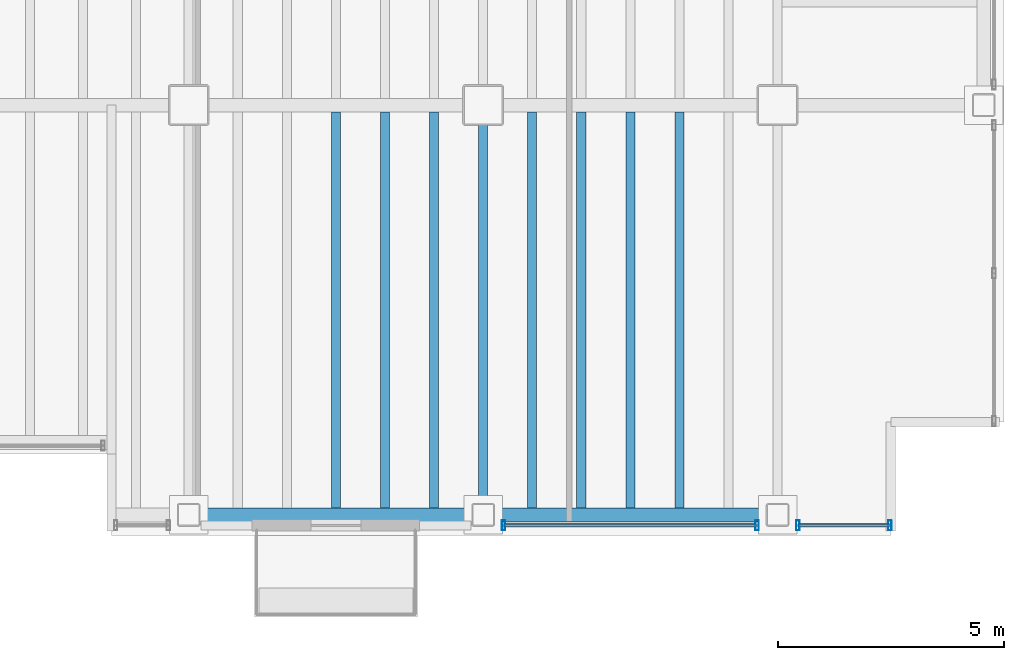
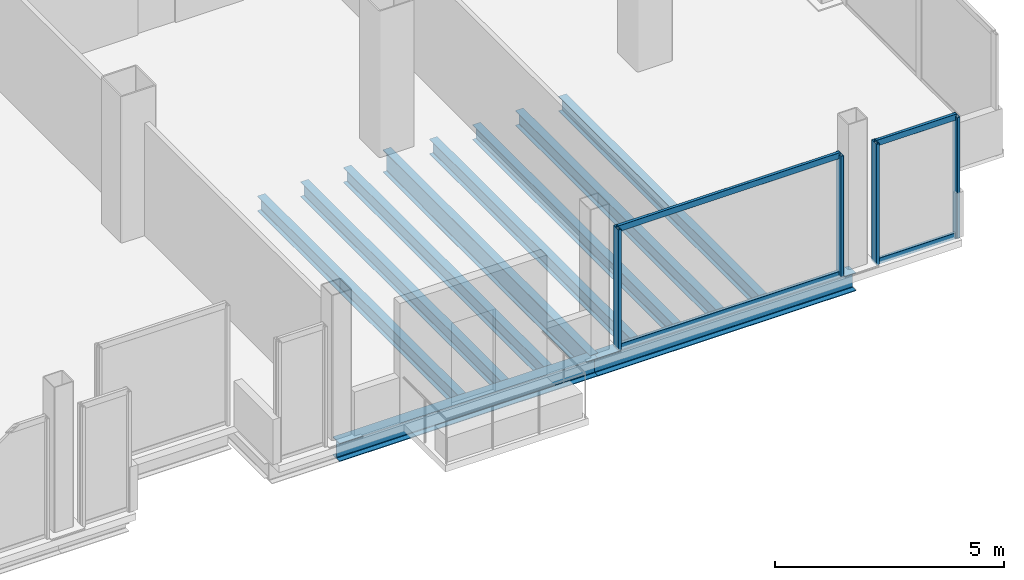
# One storey, part 12 of 20: 10 beams, 8 members, 2 elements without a shape of their own.
"""IFC4 building model written with IfcOpenShell, lengths in metres."""

from ifc_helpers import new_model, si_unit, direction, frame, origin, origin_2d, place, context, subcontext, project, spatial, hollow_rectangle, i_section, extrude, material, material_profile, profile_set, type_object, element, aggregate, save


model = new_model("IFC4")

# Units and contexts
model_context = context("Model", 3, precision=1e-05, world=origin(), true_north=direction((0.0, 1.0)))
body_context = subcontext(model_context, "Body", "Model", "MODEL_VIEW")
ifc_project = project(units=[si_unit("LENGTHUNIT", "METRE"), si_unit("AREAUNIT", "SQUARE_METRE"), si_unit("VOLUMEUNIT", "CUBIC_METRE"), si_unit("PLANEANGLEUNIT", "RADIAN"), si_unit("MASSUNIT", "GRAM", prefix="KILO")], contexts=[model_context])

# Site, building, storey
site_placement = place(None, origin())
site = spatial("IfcSite", under=ifc_project, at=site_placement, CompositionType="ELEMENT")
building_placement = place(site_placement, origin())
building = spatial("IfcBuilding", under=site, at=building_placement, Name="Noeulbin Bourse Tower", CompositionType="ELEMENT")
storey_placement = place(building_placement, frame((0.0, 0.0, 122.699951171875)))
storey = spatial("IfcBuildingStorey", under=building, at=storey_placement, Name="L30", CompositionType="ELEMENT", Elevation=122.699951171875)

# Beams
ifc_material_1 = material(Name="Steel S355", Category="steel")
ifc_material_profile_1 = material_profile(ifc_material_1, i_section(OverallWidth=0.199951171875, OverallDepth=0.60009765625, WebThickness=0.010986328125, FlangeThickness=0.01708984375, FilletRadius=0.02197265625, at=origin_2d()), Name="H-600x200x11x17", Category="LoadBearing")
ifc_profile_set_1 = profile_set([ifc_material_profile_1], Name="Steel S355")
beam_type_1 = type_object("IfcBeamType", Name="BM-GRD-600", PredefinedType="USERDEFINED", material=ifc_profile_set_1)
beam_placement = place(storey_placement, frame((37.5, 10.949951171875, -0.47998046875), z_axis=(0.0, 1.0, 0.0), x_axis=(-1.0, 0.0, 0.0)))
element("IfcBeam", 1, at=beam_placement, inside=storey, type_object=beam_type_1, Name="Tower Primary Girder NS L30-4.1", ObjectType="GIRDER", PredefinedType="USERDEFINED", context=body_context, shape_type="SweptSolid", body=[
    extrude(i_section(OverallWidth=0.199951171875, OverallDepth=0.60009765625, WebThickness=0.010986328125, FlangeThickness=0.01708984375, FilletRadius=0.02197265625, at=origin_2d()), origin(), (0.0, 0.0, 1.0), 9.050048828125),
])
ifc_material_profile_2 = material_profile(ifc_material_1, i_section(OverallWidth=0.199951171875, OverallDepth=0.39990234375, WebThickness=0.008056640625, FlangeThickness=0.012939453125, FilletRadius=0.01611328125, at=origin_2d()), Name="H-400x200x8x13", Category="LoadBearing")
ifc_profile_set_2 = profile_set([ifc_material_profile_2], Name="Steel S355")
beam_type_2 = type_object("IfcBeamType", Name="BM-SEC-400", PredefinedType="BEAM", material=ifc_profile_set_2)
for number, where, z_axis, x_axis, name in (
    (2, (34.25, 11.10009765625, -0.3798828125), (0.0, 1.0, 0.0), (-1.0, 0.0, 0.0), "Tower Composite Joist L30-31"),
    (3, (35.333251953125, 11.10009765625, -0.3798828125), (0.0, 1.0, 0.0), (-1.0, 0.0, 0.0), "Tower Composite Joist L30-33"),
    (4, (36.416748046875, 11.10009765625, -0.3798828125), (0.0, 1.0, 0.0), (-1.0, 0.0, 0.0), "Tower Composite Joist L30-35"),
    (5, (38.583251953125, 11.10009765625, -0.3798828125), (0.0, 1.0, 0.0), (-1.0, 0.0, 0.0), "Tower Composite Joist L30-37"),
    (6, (39.666748046875, 11.10009765625, -0.3798828125), (0.0, 1.0, 0.0), (-1.0, 0.0, 0.0), "Tower Composite Joist L30-39"),
    (7, (40.75, 11.10009765625, -0.3798828125), (0.0, 1.0, 0.0), (-1.0, 0.0, 0.0), "Tower Composite Joist L30-41"),
    (8, (41.833251953125, 11.10009765625, -0.3798828125), (0.0, 1.0, 0.0), (-1.0, 0.0, 0.0), "Tower Composite Joist L30-43"),
):
    element("IfcBeam", number, at=place(storey_placement, frame(where, z_axis=z_axis, x_axis=x_axis)), inside=storey, type_object=beam_type_2, Name=name, PredefinedType="BEAM", context=body_context, shape_type="SweptSolid", body=[
        extrude(i_section(OverallWidth=0.199951171875, OverallDepth=0.39990234375, WebThickness=0.008056640625, FlangeThickness=0.012939453125, FilletRadius=0.01611328125, at=origin_2d()), origin(), (0.0, 0.0, 1.0), 8.75),
    ])
ifc_material_profile_3 = material_profile(ifc_material_1, i_section(OverallWidth=0.300048828125, OverallDepth=0.488037109375, WebThickness=0.010986328125, FlangeThickness=0.01806640625, FilletRadius=0.02197265625, at=origin_2d()), Name="H-488x300x11x18", Category="LoadBearing")
ifc_profile_set_3 = profile_set([ifc_material_profile_3], Name="Steel S355")
beam_type_3 = type_object("IfcBeamType", Name="BM-SPN-488", PredefinedType="SPANDREL", material=ifc_profile_set_3)
for number, where, z_axis, x_axis, name in (
    (9, (31.0, 10.949951171875, -0.424072265625), (1.0, 0.0, 0.0), (0.0, 1.0, 0.0), "South Spandrel L30-3"),
    (10, (37.5, 10.949951171875, -0.424072265625), (1.0, 0.0, 0.0), (0.0, 1.0, 0.0), "South Spandrel L30-4"),
):
    element("IfcBeam", number, at=place(storey_placement, frame(where, z_axis=z_axis, x_axis=x_axis)), inside=storey, type_object=beam_type_3, Name=name, PredefinedType="SPANDREL", context=body_context, shape_type="SweptSolid", body=[
        extrude(i_section(OverallWidth=0.300048828125, OverallDepth=0.488037109375, WebThickness=0.010986328125, FlangeThickness=0.01806640625, FilletRadius=0.02197265625, at=origin_2d()), origin(), (0.0, 0.0, 1.0), 6.5),
    ])

# Curtain wall, members
ifc_material_2 = material(Name="Dark Tinted Triple Glazing", Category="glass")
curtain_wall_type = type_object("IfcCurtainWallType", Name="CW-SYS-3", PredefinedType="NOTDEFINED", material=ifc_material_2)
curtain_wall_1_placement = place(storey_placement, origin())
curtain_wall_1 = element("IfcCurtainWall", 11, at=curtain_wall_1_placement, inside=storey, type_object=curtain_wall_type, Name="Unitised Curtain Wall CW-L30-S3-S1", PredefinedType="NOTDEFINED")
ifc_material_3 = material(Name="Anodised Aluminium 6063-T6", Category="aluminium")
ifc_material_profile_4 = material_profile(ifc_material_3, hollow_rectangle(XDim=0.074951171875, YDim=0.219970703125, WallThickness=0.0048828125, InnerFilletRadius=0.00244140625, OuterFilletRadius=0.0048828125, at=origin_2d()), Name="ALU-MULL-75x220x5", Category="LoadBearing")
ifc_profile_set_4 = profile_set([ifc_material_profile_4], Name="Anodised Aluminium 6063-T6")
member_type_1 = type_object("IfcMemberType", Name="CW-SYS-3-MUL", PredefinedType="MULLION", material=ifc_profile_set_4)
member_1_placement = place(storey_placement, frame((37.949951171875, 10.719970703125, -0.02001953125), z_axis=(0.0, 0.0, 1.0), x_axis=(1.0, 0.0, 0.0)))
member_1 = element("IfcMember", 12, at=member_1_placement, type_object=member_type_1, Name="Curtain Wall Mullion CW-L30-S3-S1-M00", PredefinedType="MULLION", context=body_context, shape_type="SweptSolid", body=[
    extrude(hollow_rectangle(XDim=0.074951171875, YDim=0.219970703125, WallThickness=0.0048828125, InnerFilletRadius=0.00244140625, OuterFilletRadius=0.0048828125, at=origin_2d()), origin(), (0.0, 0.0, 1.0), 3.219970703125),
])
member_2_placement = place(storey_placement, frame((43.550048828125, 10.719970703125, -0.02001953125), z_axis=(0.0, 0.0, 1.0), x_axis=(1.0, 0.0, 0.0)))
member_2 = element("IfcMember", 13, at=member_2_placement, type_object=member_type_1, Name="Curtain Wall Mullion CW-L30-S3-S1-M01", PredefinedType="MULLION", context=body_context, shape_type="SweptSolid", body=[
    extrude(hollow_rectangle(XDim=0.074951171875, YDim=0.219970703125, WallThickness=0.0048828125, InnerFilletRadius=0.00244140625, OuterFilletRadius=0.0048828125, at=origin_2d()), origin(), (0.0, 0.0, 1.0), 3.219970703125),
])

curtain_wall_2_placement = place(storey_placement, origin())
curtain_wall_2 = element("IfcCurtainWall", 14, at=curtain_wall_2_placement, inside=storey, type_object=curtain_wall_type, Name="Unitised Curtain Wall CW-L30-S3-S2", PredefinedType="NOTDEFINED")
member_3_placement = place(storey_placement, frame((44.449951171875, 10.719970703125, -0.02001953125), z_axis=(0.0, 0.0, 1.0), x_axis=(1.0, 0.0, 0.0)))
member_3 = element("IfcMember", 15, at=member_3_placement, type_object=member_type_1, Name="Curtain Wall Mullion CW-L30-S3-S2-M00", PredefinedType="MULLION", context=body_context, shape_type="SweptSolid", body=[
    extrude(hollow_rectangle(XDim=0.074951171875, YDim=0.219970703125, WallThickness=0.0048828125, InnerFilletRadius=0.00244140625, OuterFilletRadius=0.0048828125, at=origin_2d()), origin(), (0.0, 0.0, 1.0), 3.219970703125),
])
member_4_placement = place(storey_placement, frame((46.47998046875, 10.719970703125, -0.02001953125), z_axis=(0.0, 0.0, 1.0), x_axis=(1.0, 0.0, 0.0)))
member_4 = element("IfcMember", 16, at=member_4_placement, type_object=member_type_1, Name="Curtain Wall Mullion CW-L30-S3-S2-M01", PredefinedType="MULLION", context=body_context, shape_type="SweptSolid", body=[
    extrude(hollow_rectangle(XDim=0.074951171875, YDim=0.219970703125, WallThickness=0.0048828125, InnerFilletRadius=0.00244140625, OuterFilletRadius=0.0048828125, at=origin_2d()), origin(), (0.0, 0.0, 1.0), 3.219970703125),
])

# Member
ifc_material_profile_5 = material_profile(ifc_material_3, hollow_rectangle(XDim=0.074951171875, YDim=0.159912109375, WallThickness=0.0048828125, InnerFilletRadius=0.00244140625, OuterFilletRadius=0.0048828125, at=origin_2d()), Name="ALU-TRAN-75x160x5", Category="LoadBearing")
ifc_profile_set_5 = profile_set([ifc_material_profile_5], Name="Anodised Aluminium 6063-T6")
member_type_2 = type_object("IfcMemberType", Name="CW-SYS-3-TRN", PredefinedType="USERDEFINED", material=ifc_profile_set_5)
member_5_placement = place(storey_placement, frame((37.9599609375, 10.719970703125, 0.010009765625), z_axis=(1.0, 0.0, 0.0), x_axis=(0.0, 1.0, 0.0)))
member_5 = element("IfcMember", 17, at=member_5_placement, type_object=member_type_2, Name="Curtain Wall Transom CW-L30-S3-S1-T00", ObjectType="TRANSOM", PredefinedType="USERDEFINED", context=body_context, shape_type="SweptSolid", body=[
    extrude(hollow_rectangle(XDim=0.074951171875, YDim=0.159912109375, WallThickness=0.0048828125, InnerFilletRadius=0.00244140625, OuterFilletRadius=0.0048828125, at=origin_2d()), origin(), (0.0, 0.0, 1.0), 5.580078125),
])

member_6_placement = place(storey_placement, frame((37.9599609375, 10.719970703125, 3.170166015625), z_axis=(1.0, 0.0, 0.0), x_axis=(0.0, 1.0, 0.0)))
member_6 = element("IfcMember", 18, at=member_6_placement, type_object=member_type_2, Name="Curtain Wall Transom CW-L30-S3-S1-T01", ObjectType="TRANSOM", PredefinedType="USERDEFINED", context=body_context, shape_type="SweptSolid", body=[
    extrude(hollow_rectangle(XDim=0.074951171875, YDim=0.159912109375, WallThickness=0.0048828125, InnerFilletRadius=0.00244140625, OuterFilletRadius=0.0048828125, at=origin_2d()), origin(), (0.0, 0.0, 1.0), 5.580078125),
])

aggregate(curtain_wall_1, [member_1, member_2, member_5, member_6])

member_7_placement = place(storey_placement, frame((44.4599609375, 10.719970703125, 0.010009765625), z_axis=(1.0, 0.0, 0.0), x_axis=(0.0, 1.0, 0.0)))
member_7 = element("IfcMember", 19, at=member_7_placement, type_object=member_type_2, Name="Curtain Wall Transom CW-L30-S3-S2-T00", ObjectType="TRANSOM", PredefinedType="USERDEFINED", context=body_context, shape_type="SweptSolid", body=[
    extrude(hollow_rectangle(XDim=0.074951171875, YDim=0.159912109375, WallThickness=0.0048828125, InnerFilletRadius=0.00244140625, OuterFilletRadius=0.0048828125, at=origin_2d()), origin(), (0.0, 0.0, 1.0), 2.010009765625),
])

member_8_placement = place(storey_placement, frame((44.4599609375, 10.719970703125, 3.170166015625), z_axis=(1.0, 0.0, 0.0), x_axis=(0.0, 1.0, 0.0)))
member_8 = element("IfcMember", 20, at=member_8_placement, type_object=member_type_2, Name="Curtain Wall Transom CW-L30-S3-S2-T01", ObjectType="TRANSOM", PredefinedType="USERDEFINED", context=body_context, shape_type="SweptSolid", body=[
    extrude(hollow_rectangle(XDim=0.074951171875, YDim=0.159912109375, WallThickness=0.0048828125, InnerFilletRadius=0.00244140625, OuterFilletRadius=0.0048828125, at=origin_2d()), origin(), (0.0, 0.0, 1.0), 2.010009765625),
])

aggregate(curtain_wall_2, [member_3, member_4, member_7, member_8])

save(model, "model.ifc")
